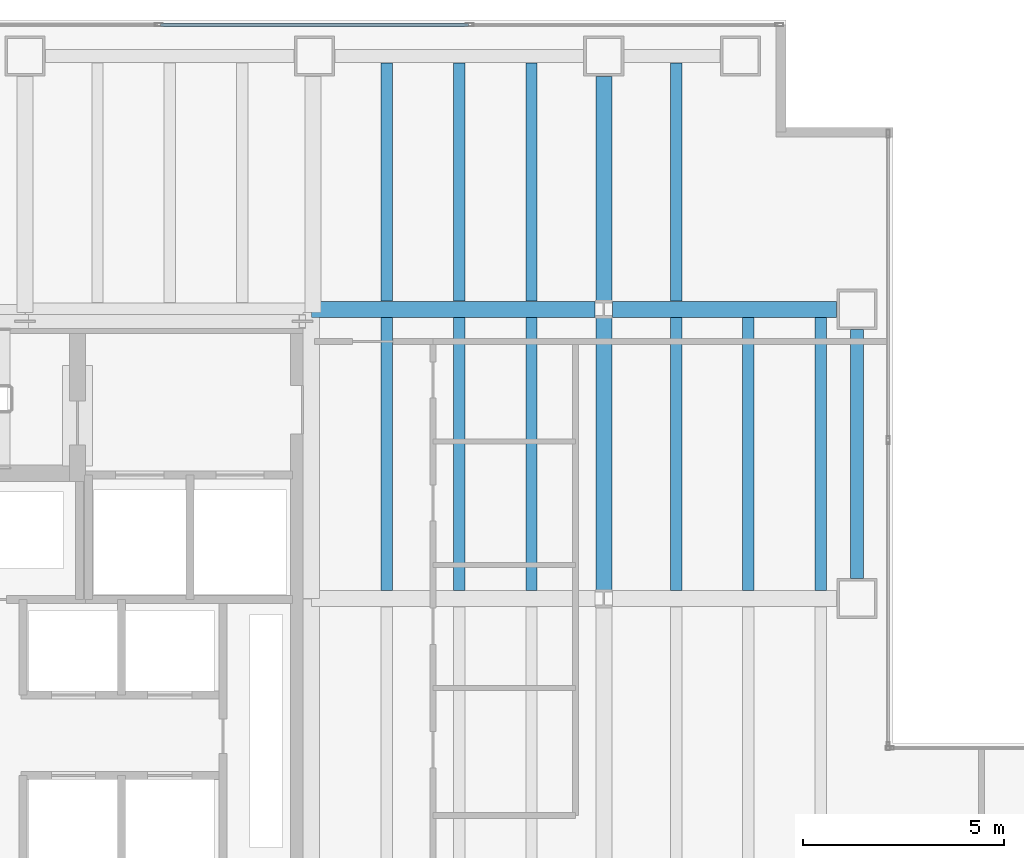
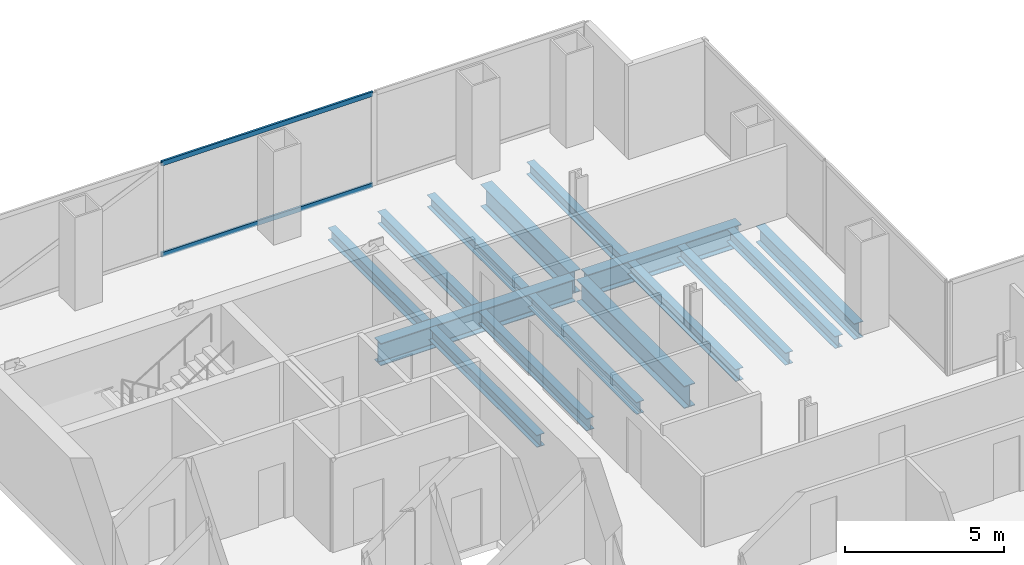
# One storey, part 17 of 23: 15 beams, 2 members, 1 element without a shape of its own.
"""IFC4 building model written with IfcOpenShell, lengths in metres."""

from ifc_helpers import new_model, si_unit, direction, frame, origin, origin_2d, place, context, subcontext, project, spatial, hollow_rectangle, i_section, extrude, material, material_profile, profile_set, type_object, element, aggregate, save


model = new_model("IFC4")

# Units and contexts
model_context = context("Model", 3, precision=1e-05, world=origin(), true_north=direction((0.0, 1.0)))
body_context = subcontext(model_context, "Body", "Model", "MODEL_VIEW")
ifc_project = project(units=[si_unit("LENGTHUNIT", "METRE"), si_unit("AREAUNIT", "SQUARE_METRE"), si_unit("VOLUMEUNIT", "CUBIC_METRE"), si_unit("PLANEANGLEUNIT", "RADIAN"), si_unit("MASSUNIT", "GRAM", prefix="KILO")], contexts=[model_context])

# Site, building, storey
site_placement = place(None, origin())
site = spatial("IfcSite", under=ifc_project, at=site_placement, CompositionType="ELEMENT")
building_placement = place(site_placement, origin())
building = spatial("IfcBuilding", under=site, at=building_placement, Name="Cobrela Telecom Tower", CompositionType="ELEMENT")
storey_placement = place(building_placement, frame((0.0, 0.0, 54.25)))
storey = spatial("IfcBuildingStorey", under=building, at=storey_placement, Name="L13", CompositionType="ELEMENT", Elevation=54.25)

# Beams
ifc_material_1 = material(Name="Steel ASTM A992 Grade 50", Category="steel")
ifc_material_profile_1 = material_profile(ifc_material_1, i_section(OverallWidth=0.39892578125, OverallDepth=0.85595703125, WebThickness=0.018310546875, FlangeThickness=0.029296875, FilletRadius=0.02001953125, at=origin_2d()), Name="W33X201")
ifc_profile_set_1 = profile_set([ifc_material_profile_1], Name="Steel ASTM A992 Grade 50")
beam_type_1 = type_object("IfcBeamType", Name="BM-GIRD-03", PredefinedType="USERDEFINED", material=ifc_profile_set_1)
beam_1_placement = place(storey_placement, frame((14.324951171875, 36.0, -0.7080078125), z_axis=(1.0, 0.0, 0.0), x_axis=(0.0, 1.0, 0.0)))
element("IfcBeam", 1, at=beam_1_placement, inside=storey, type_object=beam_type_1, Name="L13 Primary Girder X27", ObjectType="GIRDER", PredefinedType="USERDEFINED", context=body_context, shape_type="SweptSolid", body=[
    extrude(i_section(OverallWidth=0.39892578125, OverallDepth=0.85595703125, WebThickness=0.018310546875, FlangeThickness=0.029296875, FilletRadius=0.02001953125, at=origin_2d()), origin(), (0.0, 0.0, 1.0), 7.05908203125),
])
beam_2_placement = place(storey_placement, frame((21.81591796875, 36.0, -0.7080078125), z_axis=(1.0, 0.0, 0.0), x_axis=(0.0, 1.0, 0.0)))
element("IfcBeam", 2, at=beam_2_placement, inside=storey, type_object=beam_type_1, Name="L13 Primary Girder X28", ObjectType="GIRDER", PredefinedType="USERDEFINED", context=body_context, shape_type="SweptSolid", body=[
    extrude(i_section(OverallWidth=0.39892578125, OverallDepth=0.85595703125, WebThickness=0.018310546875, FlangeThickness=0.029296875, FilletRadius=0.02001953125, at=origin_2d()), origin(), (0.0, 0.0, 1.0), 5.5791015625),
])
beam_3_placement = place(storey_placement, frame((21.60009765625, 29.01611328125, -0.7080078125), z_axis=(0.0, 1.0, 0.0), x_axis=(-1.0, 0.0, 0.0)))
element("IfcBeam", 3, at=beam_3_placement, inside=storey, type_object=beam_type_1, Name="L13 Primary Girder Y44", ObjectType="GIRDER", PredefinedType="USERDEFINED", context=body_context, shape_type="SweptSolid", body=[
    extrude(i_section(OverallWidth=0.39892578125, OverallDepth=0.85595703125, WebThickness=0.018310546875, FlangeThickness=0.029296875, FilletRadius=0.02001953125, at=origin_2d()), origin(), (0.0, 0.0, 1.0), 6.767822265625),
])
beam_4_placement = place(storey_placement, frame((21.60009765625, 36.216064453125, -0.7080078125), z_axis=(0.0, 1.0, 0.0), x_axis=(-1.0, 0.0, 0.0)))
element("IfcBeam", 4, at=beam_4_placement, inside=storey, type_object=beam_type_1, Name="L13 Primary Girder Y45", ObjectType="GIRDER", PredefinedType="USERDEFINED", context=body_context, shape_type="SweptSolid", body=[
    extrude(i_section(OverallWidth=0.39892578125, OverallDepth=0.85595703125, WebThickness=0.018310546875, FlangeThickness=0.029296875, FilletRadius=0.02001953125, at=origin_2d()), origin(), (0.0, 0.0, 1.0), 5.578857421875),
])
ifc_material_profile_2 = material_profile(ifc_material_1, i_section(OverallWidth=0.281982421875, OverallDepth=0.467041015625, WebThickness=0.01220703125, FlangeThickness=0.01953125, FilletRadius=0.012939453125, at=origin_2d()), Name="W18X86")
ifc_profile_set_2 = profile_set([ifc_material_profile_2], Name="Steel ASTM A992 Grade 50")
beam_type_2 = type_object("IfcBeamType", Name="BM-JOIST-02", PredefinedType="JOIST", material=ifc_profile_set_2)
beam_5_placement = place(storey_placement, frame((16.199951171875, 29.00439453125, -0.513427734375), z_axis=(0.0, 1.0, 0.0), x_axis=(-1.0, 0.0, 0.0)))
element("IfcBeam", 5, at=beam_5_placement, inside=storey, type_object=beam_type_2, Name="L13 Secondary Composite Floor Beam J11", PredefinedType="JOIST", context=body_context, shape_type="SweptSolid", body=[
    extrude(i_section(OverallWidth=0.281982421875, OverallDepth=0.467041015625, WebThickness=0.01220703125, FlangeThickness=0.01953125, FilletRadius=0.012939453125, at=origin_2d()), origin(), (0.0, 0.0, 1.0), 6.791015625),
])
beam_6_placement = place(storey_placement, frame((16.199951171875, 36.20458984375, -0.513427734375), z_axis=(0.0, 1.0, 0.0), x_axis=(-1.0, 0.0, 0.0)))
element("IfcBeam", 6, at=beam_6_placement, inside=storey, type_object=beam_type_2, Name="L13 Secondary Composite Floor Beam J12", PredefinedType="JOIST", context=body_context, shape_type="SweptSolid", body=[
    extrude(i_section(OverallWidth=0.281982421875, OverallDepth=0.467041015625, WebThickness=0.01220703125, FlangeThickness=0.01953125, FilletRadius=0.012939453125, at=origin_2d()), origin(), (0.0, 0.0, 1.0), 5.927978515625),
])
beam_7_placement = place(storey_placement, frame((18.0, 29.00439453125, -0.513427734375), z_axis=(0.0, 1.0, 0.0), x_axis=(-1.0, 0.0, 0.0)))
element("IfcBeam", 7, at=beam_7_placement, inside=storey, type_object=beam_type_2, Name="L13 Secondary Composite Floor Beam J17", PredefinedType="JOIST", context=body_context, shape_type="SweptSolid", body=[
    extrude(i_section(OverallWidth=0.281982421875, OverallDepth=0.467041015625, WebThickness=0.01220703125, FlangeThickness=0.01953125, FilletRadius=0.012939453125, at=origin_2d()), origin(), (0.0, 0.0, 1.0), 6.791015625),
])
beam_8_placement = place(storey_placement, frame((18.0, 36.20458984375, -0.513427734375), z_axis=(0.0, 1.0, 0.0), x_axis=(-1.0, 0.0, 0.0)))
element("IfcBeam", 8, at=beam_8_placement, inside=storey, type_object=beam_type_2, Name="L13 Secondary Composite Floor Beam J18", PredefinedType="JOIST", context=body_context, shape_type="SweptSolid", body=[
    extrude(i_section(OverallWidth=0.281982421875, OverallDepth=0.467041015625, WebThickness=0.01220703125, FlangeThickness=0.01953125, FilletRadius=0.012939453125, at=origin_2d()), origin(), (0.0, 0.0, 1.0), 5.927978515625),
])
beam_9_placement = place(storey_placement, frame((19.800048828125, 29.00439453125, -0.513427734375), z_axis=(0.0, 1.0, 0.0), x_axis=(-1.0, 0.0, 0.0)))
element("IfcBeam", 9, at=beam_9_placement, inside=storey, type_object=beam_type_2, Name="L13 Secondary Composite Floor Beam J23", PredefinedType="JOIST", context=body_context, shape_type="SweptSolid", body=[
    extrude(i_section(OverallWidth=0.281982421875, OverallDepth=0.467041015625, WebThickness=0.01220703125, FlangeThickness=0.01953125, FilletRadius=0.012939453125, at=origin_2d()), origin(), (0.0, 0.0, 1.0), 6.791015625),
])
beam_10_placement = place(storey_placement, frame((19.800048828125, 36.20458984375, -0.513427734375), z_axis=(0.0, 1.0, 0.0), x_axis=(-1.0, 0.0, 0.0)))
element("IfcBeam", 10, at=beam_10_placement, inside=storey, type_object=beam_type_2, Name="L13 Secondary Composite Floor Beam J24", PredefinedType="JOIST", context=body_context, shape_type="SweptSolid", body=[
    extrude(i_section(OverallWidth=0.281982421875, OverallDepth=0.467041015625, WebThickness=0.01220703125, FlangeThickness=0.01953125, FilletRadius=0.012939453125, at=origin_2d()), origin(), (0.0, 0.0, 1.0), 5.927978515625),
])
beam_11_placement = place(storey_placement, frame((23.39990234375, 29.00439453125, -0.513427734375), z_axis=(0.0, 1.0, 0.0), x_axis=(-1.0, 0.0, 0.0)))
element("IfcBeam", 11, at=beam_11_placement, inside=storey, type_object=beam_type_2, Name="L13 Secondary Composite Floor Beam J29", PredefinedType="JOIST", context=body_context, shape_type="SweptSolid", body=[
    extrude(i_section(OverallWidth=0.281982421875, OverallDepth=0.467041015625, WebThickness=0.01220703125, FlangeThickness=0.01953125, FilletRadius=0.012939453125, at=origin_2d()), origin(), (0.0, 0.0, 1.0), 6.791015625),
])
beam_12_placement = place(storey_placement, frame((23.39990234375, 36.20458984375, -0.513427734375), z_axis=(0.0, 1.0, 0.0), x_axis=(-1.0, 0.0, 0.0)))
element("IfcBeam", 12, at=beam_12_placement, inside=storey, type_object=beam_type_2, Name="L13 Secondary Composite Floor Beam J30", PredefinedType="JOIST", context=body_context, shape_type="SweptSolid", body=[
    extrude(i_section(OverallWidth=0.281982421875, OverallDepth=0.467041015625, WebThickness=0.01220703125, FlangeThickness=0.01953125, FilletRadius=0.012939453125, at=origin_2d()), origin(), (0.0, 0.0, 1.0), 5.927978515625),
])
for number, where, z_axis, x_axis, name in (
    (13, (25.199951171875, 29.00439453125, -0.513427734375), (0.0, 1.0, 0.0), (-1.0, 0.0, 0.0), "L13 Secondary Composite Floor Beam J35"),
    (14, (27.0, 29.00439453125, -0.513427734375), (0.0, 1.0, 0.0), (-1.0, 0.0, 0.0), "L13 Secondary Composite Floor Beam J40"),
):
    element("IfcBeam", number, at=place(storey_placement, frame(where, z_axis=z_axis, x_axis=x_axis)), inside=storey, type_object=beam_type_2, Name=name, PredefinedType="JOIST", context=body_context, shape_type="SweptSolid", body=[
        extrude(i_section(OverallWidth=0.281982421875, OverallDepth=0.467041015625, WebThickness=0.01220703125, FlangeThickness=0.01953125, FilletRadius=0.012939453125, at=origin_2d()), origin(), (0.0, 0.0, 1.0), 6.791015625),
    ])
ifc_material_profile_3 = material_profile(ifc_material_1, i_section(OverallWidth=0.324951171875, OverallDepth=0.612060546875, WebThickness=0.0126953125, FlangeThickness=0.01904296875, FilletRadius=0.014892578125, at=origin_2d()), Name="W24X104")
ifc_profile_set_3 = profile_set([ifc_material_profile_3], Name="Steel ASTM A992 Grade 50")
beam_type_3 = type_object("IfcBeamType", Name="BM-SPAND-02", PredefinedType="SPANDREL", material=ifc_profile_set_3)
beam_13_placement = place(storey_placement, frame((27.89990234375, 29.304931640625, -0.5859375), z_axis=(0.0, 1.0, 0.0), x_axis=(-1.0, 0.0, 0.0)))
element("IfcBeam", 15, at=beam_13_placement, inside=storey, type_object=beam_type_3, Name="L13 Perimeter Spandrel Y46", PredefinedType="SPANDREL", context=body_context, shape_type="SweptSolid", body=[
    extrude(i_section(OverallWidth=0.324951171875, OverallDepth=0.612060546875, WebThickness=0.0126953125, FlangeThickness=0.01904296875, FilletRadius=0.014892578125, at=origin_2d()), origin(), (0.0, 0.0, 1.0), 6.190185546875),
])

# Curtain wall, members
ifc_material_2 = material(Name="Anodized Bronze Aluminium 6063-T6", Category="aluminium")
curtain_wall_type = type_object("IfcCurtainWallType", Name="CW-SYS-DATA", PredefinedType="USERDEFINED", material=ifc_material_2)
curtain_wall_placement = place(storey_placement, origin())
curtain_wall = element("IfcCurtainWall", 16, at=curtain_wall_placement, inside=storey, type_object=curtain_wall_type, Name="L13 Unitised Bronze Curtain Wall 07", ObjectType="UNITISED CURTAIN WALL", PredefinedType="USERDEFINED")
ifc_material_profile_4 = material_profile(ifc_material_2, hollow_rectangle(XDim=0.074951171875, YDim=0.179931640625, WallThickness=0.00390625, at=origin_2d()), Name="ALU 75x180x4")
ifc_profile_set_4 = profile_set([ifc_material_profile_4], Name="Anodized Bronze Aluminium 6063-T6")
member_type = type_object("IfcMemberType", Name="CW-SYS-DATA-TRN", PredefinedType="USERDEFINED", material=ifc_profile_set_4)
member_1_placement = place(storey_placement, frame((10.570068359375, 43.080078125, 0.03759765625), z_axis=(1.0, 0.0, 0.0), x_axis=(0.0, 1.0, 0.0)))
member_1 = element("IfcMember", 17, at=member_1_placement, type_object=member_type, Name="CW-DATA transom 2.1", ObjectType="TRANSOM", PredefinedType="USERDEFINED", context=body_context, shape_type="SweptSolid", body=[
    extrude(hollow_rectangle(XDim=0.074951171875, YDim=0.179931640625, WallThickness=0.00390625, at=origin_2d()), origin(), (0.0, 0.0, 1.0), 7.659912109375),
])
member_2_placement = place(storey_placement, frame((10.570068359375, 43.080078125, 3.532470703125), z_axis=(1.0, 0.0, 0.0), x_axis=(0.0, 1.0, 0.0)))
member_2 = element("IfcMember", 18, at=member_2_placement, type_object=member_type, Name="CW-DATA transom 2.2", ObjectType="TRANSOM", PredefinedType="USERDEFINED", context=body_context, shape_type="SweptSolid", body=[
    extrude(hollow_rectangle(XDim=0.074951171875, YDim=0.179931640625, WallThickness=0.00390625, at=origin_2d()), origin(), (0.0, 0.0, 1.0), 7.659912109375),
])
aggregate(curtain_wall, [member_1, member_2])

save(model, "model.ifc")
